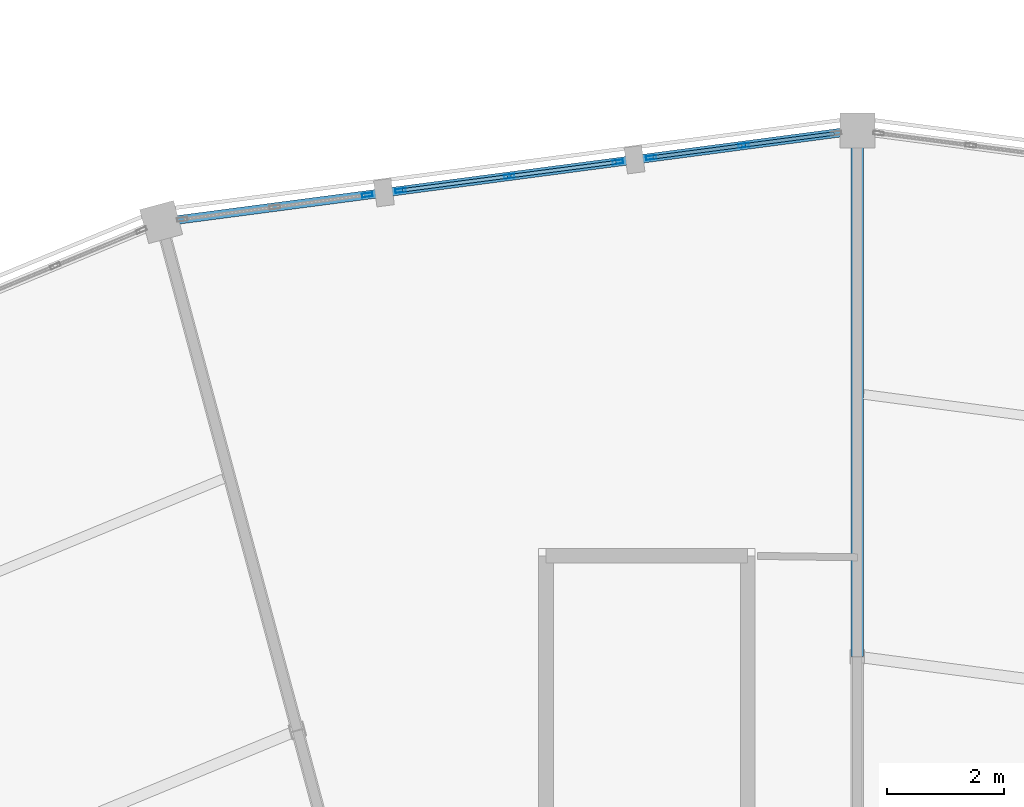
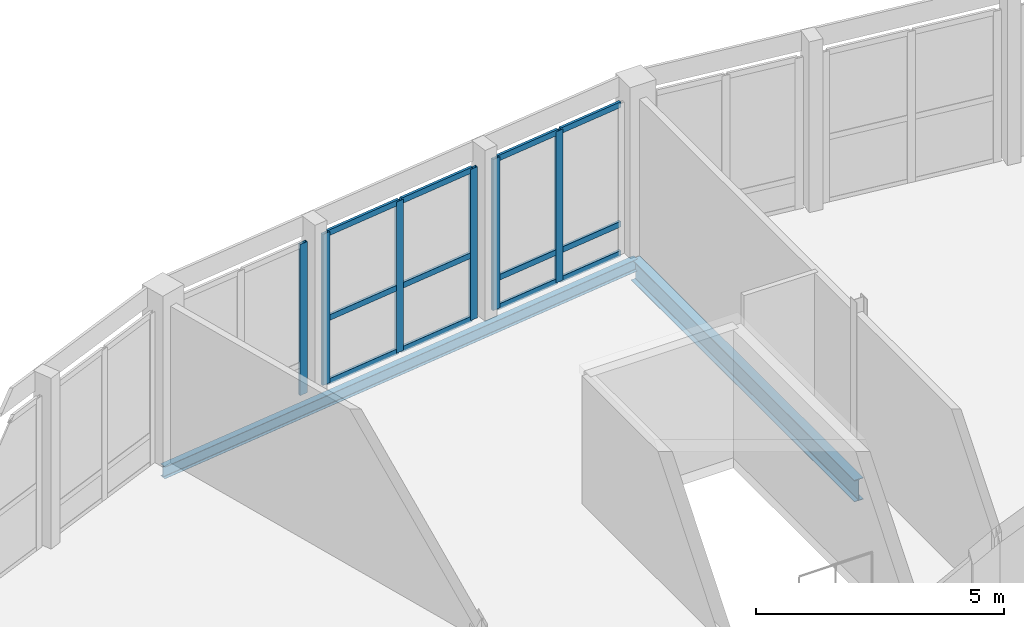
# One storey, part 101 of 200: 18 members, 2 beams, 3 elements without a shape of their own.
"""IFC4 building model written with IfcOpenShell, lengths in metres."""

from ifc_helpers import new_model, si_unit, direction, frame, origin, origin_2d, place, context, subcontext, project, spatial, hollow_rectangle, i_section, extrude, material, material_profile, profile_set, type_object, element, aggregate, save


model = new_model("IFC4")

# Units and contexts
model_context = context("Model", 3, precision=1e-05, world=origin(), true_north=direction((0.0, 1.0)))
body_context = subcontext(model_context, "Body", "Model", "MODEL_VIEW")
ifc_project = project(units=[si_unit("LENGTHUNIT", "METRE"), si_unit("AREAUNIT", "SQUARE_METRE"), si_unit("VOLUMEUNIT", "CUBIC_METRE"), si_unit("PLANEANGLEUNIT", "RADIAN"), si_unit("MASSUNIT", "GRAM", prefix="KILO")], contexts=[model_context])

# Site, building, storey
site_placement = place(None, origin())
site = spatial("IfcSite", under=ifc_project, at=site_placement, CompositionType="ELEMENT")
building_placement = place(site_placement, origin())
building = spatial("IfcBuilding", under=site, at=building_placement, Name="Vondelvale Polytechnic", CompositionType="ELEMENT")
storey_placement = place(building_placement, frame((0.0, 0.0, 13.800048828125)))
storey = spatial("IfcBuildingStorey", under=building, at=storey_placement, Name="L03", CompositionType="ELEMENT", Elevation=13.800048828125)

# Beams
ifc_material_1 = material(Name="Steel 300PLUS (fy = 300 MPa)", Category="steel")
ifc_material_profile_1 = material_profile(ifc_material_1, i_section(OverallWidth=0.14892578125, OverallDepth=0.298095703125, WebThickness=0.005615234375, FlangeThickness=0.008056640625, FilletRadius=0.011474609375, at=origin_2d()), Name="310UB32.0")
ifc_profile_set_1 = profile_set([ifc_material_profile_1], Name="Steel 300PLUS (fy = 300 MPa)")
beam_type_1 = type_object("IfcBeamType", Name="BM-UB310L", PredefinedType="BEAM", material=ifc_profile_set_1)
beam_1_placement = place(storey_placement, frame((102.0, 118.0, -0.399169921875), z_axis=(-0.991445297315, -0.130522880875, 0.0), x_axis=(0.130522880875, -0.991445297315, 0.0)))
element("IfcBeam", 1, at=beam_1_placement, inside=storey, type_object=beam_type_1, Name="L03 RB B-25", PredefinedType="BEAM", context=body_context, shape_type="SweptSolid", body=[
    extrude(i_section(OverallWidth=0.14892578125, OverallDepth=0.298095703125, WebThickness=0.005615234375, FlangeThickness=0.008056640625, FilletRadius=0.011474609375, at=origin_2d()), origin(), (0.0, 0.0, 1.0), 12.008544921875),
])
ifc_material_profile_2 = material_profile(ifc_material_1, i_section(OverallWidth=0.208984375, OverallDepth=0.532958984375, WebThickness=0.01025390625, FlangeThickness=0.015625, FilletRadius=0.013916015625, at=origin_2d()), Name="530UB92.4")
ifc_profile_set_2 = profile_set([ifc_material_profile_2], Name="Steel 300PLUS (fy = 300 MPa)")
beam_type_2 = type_object("IfcBeamType", Name="BM-UB530", PredefinedType="BEAM", material=ifc_profile_set_2)
beam_2_placement = place(storey_placement, frame((102.0, 109.0, -0.5166015625), z_axis=(0.0, 1.0, 0.0), x_axis=(-1.0, 0.0, 0.0)))
element("IfcBeam", 2, at=beam_2_placement, inside=storey, type_object=beam_type_2, Name="L03 RG B-11", PredefinedType="BEAM", context=body_context, shape_type="SweptSolid", body=[
    extrude(i_section(OverallWidth=0.208984375, OverallDepth=0.532958984375, WebThickness=0.01025390625, FlangeThickness=0.015625, FilletRadius=0.013916015625, at=origin_2d()), origin(), (0.0, 0.0, 1.0), 9.0),
])

# Curtain wall, members
ifc_material_2 = material(Name="Glulam GL18 structural Tasmanian oak (fb = 42 MPa)", Category="wood")
curtain_wall_type = type_object("IfcCurtainWallType", Name="CW-RING-OUTER", PredefinedType="NOTDEFINED", material=ifc_material_2)
curtain_wall_1_placement = place(storey_placement, origin())
curtain_wall_1 = element("IfcCurtainWall", 3, at=curtain_wall_1_placement, inside=storey, type_object=curtain_wall_type, Name="L03 architectural curtain wall CW-04-164", PredefinedType="NOTDEFINED")
ifc_material_3 = material(Name="Anodised extruded aluminium 6063-T6", Category="aluminium")
ifc_material_profile_3 = material_profile(ifc_material_3, hollow_rectangle(XDim=0.06494140625, YDim=0.179931640625, WallThickness=0.00390625, at=origin_2d()), Name="CW-MUL-180x65")
ifc_profile_set_3 = profile_set([ifc_material_profile_3], Name="Anodised extruded aluminium 6063-T6")
member_type_1 = type_object("IfcMemberType", Name="CW-MUL-65x180", PredefinedType="MULLION", material=ifc_profile_set_3)
member_1_placement = place(storey_placement, frame((100.056640625, 117.744140625, 0.0), z_axis=(0.0, 0.0, 1.0), x_axis=(0.130539547729, -0.991443102996, 0.0)))
member_1 = element("IfcMember", 4, at=member_1_placement, type_object=member_type_1, Name="CW-04-164 mullion 2", PredefinedType="MULLION", context=body_context, shape_type="SweptSolid", body=[
    extrude(hollow_rectangle(XDim=0.06494140625, YDim=0.179931640625, WallThickness=0.00390625, at=origin_2d()), origin(), (0.0, 0.0, 1.0), 3.719970703125),
])
member_2_placement = place(storey_placement, frame((98.475341796875, 117.535888671875, 0.0), z_axis=(0.0, 0.0, 1.0), x_axis=(0.130539547729, -0.991443102996, 0.0)))
member_2 = element("IfcMember", 5, at=member_2_placement, type_object=member_type_1, Name="CW-04-164 mullion 3", PredefinedType="MULLION", context=body_context, shape_type="SweptSolid", body=[
    extrude(hollow_rectangle(XDim=0.06494140625, YDim=0.179931640625, WallThickness=0.00390625, at=origin_2d()), origin(), (0.0, 0.0, 1.0), 3.719970703125),
])

curtain_wall_2_placement = place(storey_placement, origin())
curtain_wall_2 = element("IfcCurtainWall", 6, at=curtain_wall_2_placement, inside=storey, type_object=curtain_wall_type, Name="L03 architectural curtain wall CW-04-165", PredefinedType="NOTDEFINED")
member_3_placement = place(storey_placement, frame((97.9052734375, 117.4609375, 0.0), z_axis=(0.0, 0.0, 1.0), x_axis=(0.130497251349, -0.991448671082, 0.0)))
member_3 = element("IfcMember", 7, at=member_3_placement, type_object=member_type_1, Name="CW-04-165 mullion 1", PredefinedType="MULLION", context=body_context, shape_type="SweptSolid", body=[
    extrude(hollow_rectangle(XDim=0.06494140625, YDim=0.179931640625, WallThickness=0.00390625, at=origin_2d()), origin(), (0.0, 0.0, 1.0), 3.719970703125),
])
member_4_placement = place(storey_placement, frame((96.047119140625, 117.21630859375, 0.0), z_axis=(0.0, 0.0, 1.0), x_axis=(0.130497251349, -0.991448671082, 0.0)))
member_4 = element("IfcMember", 8, at=member_4_placement, type_object=member_type_1, Name="CW-04-165 mullion 2", PredefinedType="MULLION", context=body_context, shape_type="SweptSolid", body=[
    extrude(hollow_rectangle(XDim=0.06494140625, YDim=0.179931640625, WallThickness=0.00390625, at=origin_2d()), origin(), (0.0, 0.0, 1.0), 3.719970703125),
])
member_5_placement = place(storey_placement, frame((94.189208984375, 116.9716796875, 0.0), z_axis=(0.0, 0.0, 1.0), x_axis=(0.130497251349, -0.991448671082, 0.0)))
member_5 = element("IfcMember", 9, at=member_5_placement, type_object=member_type_1, Name="CW-04-165 mullion 3", PredefinedType="MULLION", context=body_context, shape_type="SweptSolid", body=[
    extrude(hollow_rectangle(XDim=0.06494140625, YDim=0.179931640625, WallThickness=0.00390625, at=origin_2d()), origin(), (0.0, 0.0, 1.0), 3.719970703125),
])

# Curtain wall, member
curtain_wall_3_placement = place(storey_placement, origin())
curtain_wall_3 = element("IfcCurtainWall", 10, at=curtain_wall_3_placement, inside=storey, type_object=curtain_wall_type, Name="L03 architectural curtain wall CW-04-166", PredefinedType="NOTDEFINED")
member_6_placement = place(storey_placement, frame((93.619140625, 116.896728515625, 0.0), z_axis=(0.0, 0.0, 1.0), x_axis=(0.130539547729, -0.991443102996, 0.0)))
member_6 = element("IfcMember", 11, at=member_6_placement, type_object=member_type_1, Name="CW-04-166 mullion 1", PredefinedType="MULLION", context=body_context, shape_type="SweptSolid", body=[
    extrude(hollow_rectangle(XDim=0.06494140625, YDim=0.179931640625, WallThickness=0.00390625, at=origin_2d()), origin(), (0.0, 0.0, 1.0), 3.719970703125),
])
aggregate(curtain_wall_3, [member_6])

# Member
ifc_material_profile_4 = material_profile(ifc_material_3, hollow_rectangle(XDim=0.06005859375, YDim=0.139892578125, WallThickness=0.00341796875, at=origin_2d()), Name="CW-TRN-140x60")
ifc_profile_set_4 = profile_set([ifc_material_profile_4], Name="Anodised extruded aluminium 6063-T6")
member_type_2 = type_object("IfcMemberType", Name="CW-TRN-60x140", PredefinedType="USERDEFINED", material=ifc_profile_set_4)
member_7_placement = place(storey_placement, frame((101.605712890625, 117.947998046875, 0.030029296875), z_axis=(-0.991443972703, -0.130532942165, 0.0), x_axis=(0.130532942165, -0.991443972703, 0.0)))
member_7 = element("IfcMember", 12, at=member_7_placement, type_object=member_type_2, Name="CW-04-164 transom 1.1", ObjectType="TRANSOM", PredefinedType="USERDEFINED", context=body_context, shape_type="SweptSolid", body=[
    extrude(hollow_rectangle(XDim=0.06005859375, YDim=0.139892578125, WallThickness=0.00341796875, at=origin_2d()), origin(), (0.0, 0.0, 1.0), 1.530029296875),
])

member_8_placement = place(storey_placement, frame((101.605712890625, 117.947998046875, 0.75), z_axis=(-0.991443972703, -0.130532942165, 0.0), x_axis=(0.130532942165, -0.991443972703, 0.0)))
member_8 = element("IfcMember", 13, at=member_8_placement, type_object=member_type_2, Name="CW-04-164 transom 1.2", ObjectType="TRANSOM", PredefinedType="USERDEFINED", context=body_context, shape_type="SweptSolid", body=[
    extrude(hollow_rectangle(XDim=0.06005859375, YDim=0.139892578125, WallThickness=0.00341796875, at=origin_2d()), origin(), (0.0, 0.0, 1.0), 1.530029296875),
])

member_9_placement = place(storey_placement, frame((101.605712890625, 117.947998046875, 3.68994140625), z_axis=(-0.991443972703, -0.130532942165, 0.0), x_axis=(0.130532942165, -0.991443972703, 0.0)))
member_9 = element("IfcMember", 14, at=member_9_placement, type_object=member_type_2, Name="CW-04-164 transom 1.3", ObjectType="TRANSOM", PredefinedType="USERDEFINED", context=body_context, shape_type="SweptSolid", body=[
    extrude(hollow_rectangle(XDim=0.06005859375, YDim=0.139892578125, WallThickness=0.00341796875, at=origin_2d()), origin(), (0.0, 0.0, 1.0), 1.530029296875),
])

member_10_placement = place(storey_placement, frame((100.0244140625, 117.739990234375, 0.030029296875), z_axis=(-0.991446691045, -0.130512293736, 0.0), x_axis=(0.130512293736, -0.991446691045, 0.0)))
member_10 = element("IfcMember", 15, at=member_10_placement, type_object=member_type_2, Name="CW-04-164 transom 2.1", ObjectType="TRANSOM", PredefinedType="USERDEFINED", context=body_context, shape_type="SweptSolid", body=[
    extrude(hollow_rectangle(XDim=0.06005859375, YDim=0.139892578125, WallThickness=0.00341796875, at=origin_2d()), origin(), (0.0, 0.0, 1.0), 1.5302734375),
])

member_11_placement = place(storey_placement, frame((100.0244140625, 117.739990234375, 0.75), z_axis=(-0.991446691045, -0.130512293736, 0.0), x_axis=(0.130512293736, -0.991446691045, 0.0)))
member_11 = element("IfcMember", 16, at=member_11_placement, type_object=member_type_2, Name="CW-04-164 transom 2.2", ObjectType="TRANSOM", PredefinedType="USERDEFINED", context=body_context, shape_type="SweptSolid", body=[
    extrude(hollow_rectangle(XDim=0.06005859375, YDim=0.139892578125, WallThickness=0.00341796875, at=origin_2d()), origin(), (0.0, 0.0, 1.0), 1.5302734375),
])

member_12_placement = place(storey_placement, frame((100.0244140625, 117.739990234375, 3.68994140625), z_axis=(-0.991446691045, -0.130512293736, 0.0), x_axis=(0.130512293736, -0.991446691045, 0.0)))
member_12 = element("IfcMember", 17, at=member_12_placement, type_object=member_type_2, Name="CW-04-164 transom 2.3", ObjectType="TRANSOM", PredefinedType="USERDEFINED", context=body_context, shape_type="SweptSolid", body=[
    extrude(hollow_rectangle(XDim=0.06005859375, YDim=0.139892578125, WallThickness=0.00341796875, at=origin_2d()), origin(), (0.0, 0.0, 1.0), 1.5302734375),
])

aggregate(curtain_wall_1, [member_1, member_2, member_7, member_8, member_9, member_10, member_11, member_12])

member_13_placement = place(storey_placement, frame((97.873046875, 117.45654296875, 0.030029296875), z_axis=(-0.991449242357, -0.130492911033, 0.0), x_axis=(0.130492911033, -0.991449242357, 0.0)))
member_13 = element("IfcMember", 18, at=member_13_placement, type_object=member_type_2, Name="CW-04-165 transom 1.1", ObjectType="TRANSOM", PredefinedType="USERDEFINED", context=body_context, shape_type="SweptSolid", body=[
    extrude(hollow_rectangle(XDim=0.06005859375, YDim=0.139892578125, WallThickness=0.00341796875, at=origin_2d()), origin(), (0.0, 0.0, 1.0), 1.80908203125),
])

member_14_placement = place(storey_placement, frame((97.873046875, 117.45654296875, 1.599853515625), z_axis=(-0.991449242357, -0.130492911033, 0.0), x_axis=(0.130492911033, -0.991449242357, 0.0)))
member_14 = element("IfcMember", 19, at=member_14_placement, type_object=member_type_2, Name="CW-04-165 transom 1.2", ObjectType="TRANSOM", PredefinedType="USERDEFINED", context=body_context, shape_type="SweptSolid", body=[
    extrude(hollow_rectangle(XDim=0.06005859375, YDim=0.139892578125, WallThickness=0.00341796875, at=origin_2d()), origin(), (0.0, 0.0, 1.0), 1.80908203125),
])

member_15_placement = place(storey_placement, frame((97.873046875, 117.45654296875, 3.68994140625), z_axis=(-0.991449242357, -0.130492911033, 0.0), x_axis=(0.130492911033, -0.991449242357, 0.0)))
member_15 = element("IfcMember", 20, at=member_15_placement, type_object=member_type_2, Name="CW-04-165 transom 1.3", ObjectType="TRANSOM", PredefinedType="USERDEFINED", context=body_context, shape_type="SweptSolid", body=[
    extrude(hollow_rectangle(XDim=0.06005859375, YDim=0.139892578125, WallThickness=0.00341796875, at=origin_2d()), origin(), (0.0, 0.0, 1.0), 1.80908203125),
])

member_16_placement = place(storey_placement, frame((96.014892578125, 117.212158203125, 0.030029296875), z_axis=(-0.991446943979, -0.130510372288, 0.0), x_axis=(0.130510372288, -0.991446943979, 0.0)))
member_16 = element("IfcMember", 21, at=member_16_placement, type_object=member_type_2, Name="CW-04-165 transom 2.1", ObjectType="TRANSOM", PredefinedType="USERDEFINED", context=body_context, shape_type="SweptSolid", body=[
    extrude(hollow_rectangle(XDim=0.06005859375, YDim=0.139892578125, WallThickness=0.00341796875, at=origin_2d()), origin(), (0.0, 0.0, 1.0), 1.808837890625),
])

member_17_placement = place(storey_placement, frame((96.014892578125, 117.212158203125, 1.599853515625), z_axis=(-0.991446943979, -0.130510372288, 0.0), x_axis=(0.130510372288, -0.991446943979, 0.0)))
member_17 = element("IfcMember", 22, at=member_17_placement, type_object=member_type_2, Name="CW-04-165 transom 2.2", ObjectType="TRANSOM", PredefinedType="USERDEFINED", context=body_context, shape_type="SweptSolid", body=[
    extrude(hollow_rectangle(XDim=0.06005859375, YDim=0.139892578125, WallThickness=0.00341796875, at=origin_2d()), origin(), (0.0, 0.0, 1.0), 1.808837890625),
])

member_18_placement = place(storey_placement, frame((96.014892578125, 117.212158203125, 3.68994140625), z_axis=(-0.991446943979, -0.130510372288, 0.0), x_axis=(0.130510372288, -0.991446943979, 0.0)))
member_18 = element("IfcMember", 23, at=member_18_placement, type_object=member_type_2, Name="CW-04-165 transom 2.3", ObjectType="TRANSOM", PredefinedType="USERDEFINED", context=body_context, shape_type="SweptSolid", body=[
    extrude(hollow_rectangle(XDim=0.06005859375, YDim=0.139892578125, WallThickness=0.00341796875, at=origin_2d()), origin(), (0.0, 0.0, 1.0), 1.808837890625),
])

aggregate(curtain_wall_2, [member_3, member_4, member_5, member_13, member_14, member_15, member_16, member_17, member_18])

save(model, "model.ifc")
